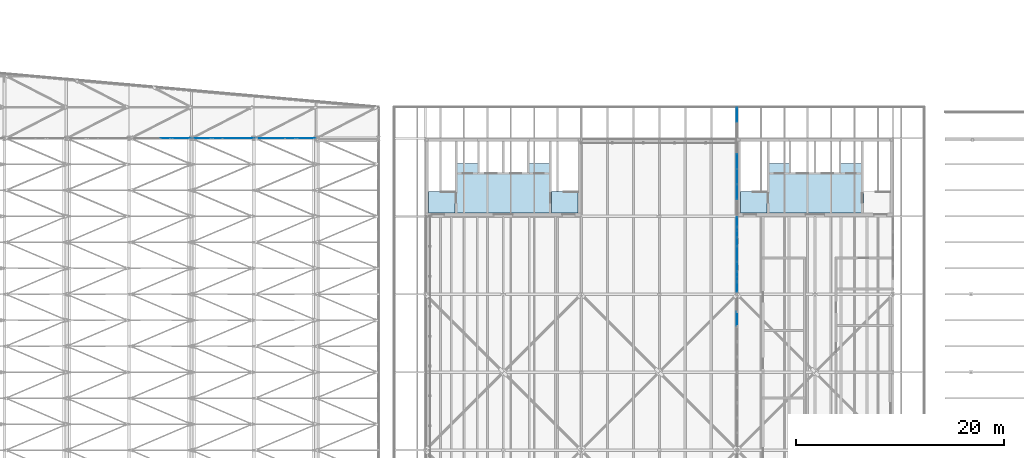
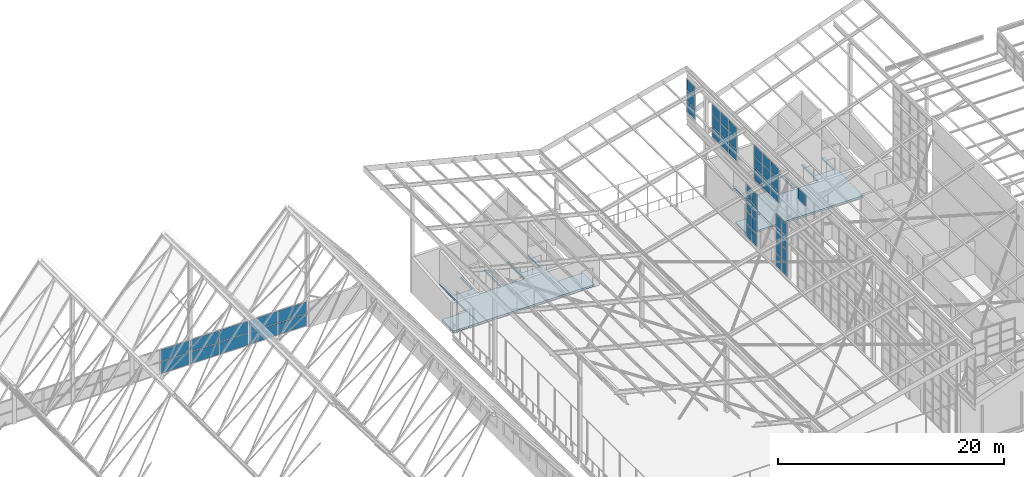
# One storey, part 109 of 483: 48 plates, 5 slabs, 15 elements without a shape of their own.
"""IFC4 building model written with IfcOpenShell, lengths in metres."""

from ifc_helpers import new_model, si_unit, direction, frame, origin, origin_2d, place, context, subcontext, project, spatial, polyline, rectangle, outline, extrude, material, layer, layer_set, type_object, element, aggregate, save


model = new_model("IFC4")

# Units and contexts
model_context = context("Model", 3, precision=1e-05, world=origin(), true_north=direction((0.0, 1.0)))
body_context = subcontext(model_context, "Body", "Model", "MODEL_VIEW")
ifc_project = project(units=[si_unit("LENGTHUNIT", "METRE"), si_unit("AREAUNIT", "SQUARE_METRE"), si_unit("VOLUMEUNIT", "CUBIC_METRE"), si_unit("PLANEANGLEUNIT", "RADIAN"), si_unit("MASSUNIT", "GRAM", prefix="KILO")], contexts=[model_context])

# Site, building, storey
site_placement = place(None, origin())
site = spatial("IfcSite", under=ifc_project, at=site_placement, CompositionType="ELEMENT")
building_placement = place(site_placement, origin())
building = spatial("IfcBuilding", under=site, at=building_placement, Name="Parallax Yard Mobility Hub", CompositionType="ELEMENT")
storey_placement = place(building_placement, frame((0.0, 0.0, 13.199951171875)))
storey = spatial("IfcBuildingStorey", under=building, at=storey_placement, Name="L04", CompositionType="ELEMENT", Elevation=13.199951171875)

# Slabs
ifc_material_1 = material(Name="Concrete fc' 35 MPa", Category="concrete")
ifc_layer_1 = layer(ifc_material_1, 0.199951171875)
ifc_layer_set_1 = layer_set([ifc_layer_1], Name="Core floor slab 200")
slab_type_1 = type_object("IfcSlabType", Name="Core floor slab 200", PredefinedType="FLOOR", material=ifc_layer_set_1)
slab_1_placement = place(storey_placement, frame((0.0, 0.0, -0.199951171875)))
element("IfcSlab", 1, at=slab_1_placement, inside=storey, type_object=slab_type_1, Name="Core C6-W floor slab level L04", PredefinedType="FLOOR", context=body_context, shape_type="SweptSolid", body=[
    extrude(outline(polyline([(104.89990234375, 49.199951171875), (104.89990234375, 52.199951171875), (105.10009765625, 52.199951171875), (105.10009765625, 49.199951171875), (107.300048828125, 49.199951171875), (107.300048828125, 52.199951171875), (107.5, 52.199951171875), (107.5, 50.10009765625), (109.39990234375, 50.10009765625), (109.39990234375, 52.199951171875), (109.64990234375, 52.199951171875), (109.64990234375, 45.300048828125), (100.35009765625, 45.300048828125), (100.35009765625, 52.199951171875), (100.60009765625, 52.199951171875), (100.60009765625, 50.10009765625), (102.5, 50.10009765625), (102.5, 52.199951171875), (102.699951171875, 52.199951171875), (102.699951171875, 49.199951171875), (104.89990234375, 49.199951171875)])), origin(), (0.0, 0.0, 1.0), 0.199951171875),
])
slab_2_placement = place(storey_placement, frame((0.0, 0.0, -0.199951171875)))
element("IfcSlab", 2, at=slab_2_placement, inside=storey, type_object=slab_type_1, Name="Core C6-E floor slab level L04", PredefinedType="FLOOR", context=body_context, shape_type="SweptSolid", body=[
    extrude(outline(polyline([(134.89990234375, 49.199951171875), (134.89990234375, 52.199951171875), (135.10009765625, 52.199951171875), (135.10009765625, 49.199951171875), (137.300048828125, 49.199951171875), (137.300048828125, 52.199951171875), (137.5, 52.199951171875), (137.5, 50.10009765625), (139.39990234375, 50.10009765625), (139.39990234375, 52.199951171875), (139.64990234375, 52.199951171875), (139.64990234375, 45.300048828125), (130.35009765625, 45.300048828125), (130.35009765625, 52.199951171875), (130.60009765625, 52.199951171875), (130.60009765625, 50.10009765625), (132.5, 50.10009765625), (132.5, 52.199951171875), (132.699951171875, 52.199951171875), (132.699951171875, 49.199951171875), (134.89990234375, 49.199951171875)])), origin(), (0.0, 0.0, 1.0), 0.199951171875),
])

# Curtain wall, plates
ifc_material_2 = material(Name="Thermally broken aluminium curtain wall system", Category="aluminium")
curtain_wall_type_1 = type_object("IfcCurtainWallType", Name="Curtain wall run 60 x 160 frame", PredefinedType="NOTDEFINED", material=ifc_material_2)
curtain_wall_1_placement = place(storey_placement, origin())
curtain_wall_1 = element("IfcCurtainWall", 3, at=curtain_wall_1_placement, inside=storey, type_object=curtain_wall_type_1, Name="Glazed gable end Bus and taxi deck north gable bay 11 level L04", PredefinedType="NOTDEFINED")
ifc_material_3 = material(Name="Laminated low-E double glazing", Category="glass")
ifc_layer_2 = layer(ifc_material_3, 0.028076171875)
ifc_layer_set_2 = layer_set([ifc_layer_2], Name="Glazing panel 28")
plate_type_1 = type_object("IfcPlateType", Name="Glazing panel 28", PredefinedType="CURTAIN_PANEL", material=ifc_layer_set_2)
plate_1_placement = place(storey_placement, frame((73.485107421875, 52.5, 0.06005859375), z_axis=(0.0, 0.0, 1.0), x_axis=(1.0, 0.0, 0.0)))
plate_1 = element("IfcPlate", 4, at=plate_1_placement, type_object=plate_type_1, Name="CW1 panel 2.1", PredefinedType="CURTAIN_PANEL", context=body_context, shape_type="SweptSolid", body=[
    extrude(rectangle(XDim=2.909912109375, YDim=0.028076171875, at=origin_2d()), origin(), (0.0, 0.0, 1.0), 1.2548828125),
])
plate_2_placement = place(storey_placement, frame((73.485107421875, 52.5, 1.375), z_axis=(0.0, 0.0, 1.0), x_axis=(1.0, 0.0, 0.0)))
plate_2 = element("IfcPlate", 5, at=plate_2_placement, type_object=plate_type_1, Name="CW1 panel 2.2", PredefinedType="CURTAIN_PANEL", context=body_context, shape_type="SweptSolid", body=[
    extrude(rectangle(XDim=2.909912109375, YDim=0.028076171875, at=origin_2d()), origin(), (0.0, 0.0, 1.0), 1.2548828125),
])
aggregate(curtain_wall_1, [plate_1, plate_2])

curtain_wall_2_placement = place(storey_placement, origin())
curtain_wall_2 = element("IfcCurtainWall", 6, at=curtain_wall_2_placement, inside=storey, type_object=curtain_wall_type_1, Name="Glazed gable end Bus and taxi deck north gable bay 12 level L04", PredefinedType="NOTDEFINED")
plate_3_placement = place(storey_placement, frame((76.514892578125, 52.5, 0.06005859375), z_axis=(0.0, 0.0, 1.0), x_axis=(1.0, 0.0, 0.0)))
plate_3 = element("IfcPlate", 7, at=plate_3_placement, type_object=plate_type_1, Name="CW1 panel 1.1", PredefinedType="CURTAIN_PANEL", context=body_context, shape_type="SweptSolid", body=[
    extrude(rectangle(XDim=2.909912109375, YDim=0.028076171875, at=origin_2d()), origin(), (0.0, 0.0, 1.0), 1.2548828125),
])
plate_4_placement = place(storey_placement, frame((76.514892578125, 52.5, 1.375), z_axis=(0.0, 0.0, 1.0), x_axis=(1.0, 0.0, 0.0)))
plate_4 = element("IfcPlate", 8, at=plate_4_placement, type_object=plate_type_1, Name="CW1 panel 1.2", PredefinedType="CURTAIN_PANEL", context=body_context, shape_type="SweptSolid", body=[
    extrude(rectangle(XDim=2.909912109375, YDim=0.028076171875, at=origin_2d()), origin(), (0.0, 0.0, 1.0), 1.2548828125),
])
plate_5_placement = place(storey_placement, frame((79.485107421875, 52.5, 0.06005859375), z_axis=(0.0, 0.0, 1.0), x_axis=(1.0, 0.0, 0.0)))
plate_5 = element("IfcPlate", 9, at=plate_5_placement, type_object=plate_type_1, Name="CW1 panel 2.1", PredefinedType="CURTAIN_PANEL", context=body_context, shape_type="SweptSolid", body=[
    extrude(rectangle(XDim=2.909912109375, YDim=0.028076171875, at=origin_2d()), origin(), (0.0, 0.0, 1.0), 1.2548828125),
])
plate_6_placement = place(storey_placement, frame((79.485107421875, 52.5, 1.375), z_axis=(0.0, 0.0, 1.0), x_axis=(1.0, 0.0, 0.0)))
plate_6 = element("IfcPlate", 10, at=plate_6_placement, type_object=plate_type_1, Name="CW1 panel 2.2", PredefinedType="CURTAIN_PANEL", context=body_context, shape_type="SweptSolid", body=[
    extrude(rectangle(XDim=2.909912109375, YDim=0.028076171875, at=origin_2d()), origin(), (0.0, 0.0, 1.0), 1.2548828125),
])
aggregate(curtain_wall_2, [plate_3, plate_4, plate_5, plate_6])

curtain_wall_3_placement = place(storey_placement, origin())
curtain_wall_3 = element("IfcCurtainWall", 11, at=curtain_wall_3_placement, inside=storey, type_object=curtain_wall_type_1, Name="Glazed gable end Bus and taxi deck north gable bay 13 level L04", PredefinedType="NOTDEFINED")
plate_7_placement = place(storey_placement, frame((82.514892578125, 52.5, 0.06005859375), z_axis=(0.0, 0.0, 1.0), x_axis=(1.0, 0.0, 0.0)))
plate_7 = element("IfcPlate", 12, at=plate_7_placement, type_object=plate_type_1, Name="CW1 panel 1.1", PredefinedType="CURTAIN_PANEL", context=body_context, shape_type="SweptSolid", body=[
    extrude(rectangle(XDim=2.909912109375, YDim=0.028076171875, at=origin_2d()), origin(), (0.0, 0.0, 1.0), 1.2548828125),
])
plate_8_placement = place(storey_placement, frame((82.514892578125, 52.5, 1.375), z_axis=(0.0, 0.0, 1.0), x_axis=(1.0, 0.0, 0.0)))
plate_8 = element("IfcPlate", 13, at=plate_8_placement, type_object=plate_type_1, Name="CW1 panel 1.2", PredefinedType="CURTAIN_PANEL", context=body_context, shape_type="SweptSolid", body=[
    extrude(rectangle(XDim=2.909912109375, YDim=0.028076171875, at=origin_2d()), origin(), (0.0, 0.0, 1.0), 1.2548828125),
])
plate_9_placement = place(storey_placement, frame((85.485107421875, 52.5, 0.06005859375), z_axis=(0.0, 0.0, 1.0), x_axis=(1.0, 0.0, 0.0)))
plate_9 = element("IfcPlate", 14, at=plate_9_placement, type_object=plate_type_1, Name="CW1 panel 2.1", PredefinedType="CURTAIN_PANEL", context=body_context, shape_type="SweptSolid", body=[
    extrude(rectangle(XDim=2.909912109375, YDim=0.028076171875, at=origin_2d()), origin(), (0.0, 0.0, 1.0), 1.2548828125),
])
plate_10_placement = place(storey_placement, frame((85.485107421875, 52.5, 1.375), z_axis=(0.0, 0.0, 1.0), x_axis=(1.0, 0.0, 0.0)))
plate_10 = element("IfcPlate", 15, at=plate_10_placement, type_object=plate_type_1, Name="CW1 panel 2.2", PredefinedType="CURTAIN_PANEL", context=body_context, shape_type="SweptSolid", body=[
    extrude(rectangle(XDim=2.909912109375, YDim=0.028076171875, at=origin_2d()), origin(), (0.0, 0.0, 1.0), 1.2548828125),
])
aggregate(curtain_wall_3, [plate_7, plate_8, plate_9, plate_10])

# Curtain wall, plate
curtain_wall_type_2 = type_object("IfcCurtainWallType", Name="Clerestory glazing run 60 x 120 frame", PredefinedType="NOTDEFINED", material=ifc_material_2)
curtain_wall_4_placement = place(storey_placement, origin())
curtain_wall_4 = element("IfcCurtainWall", 16, at=curtain_wall_4_placement, inside=storey, type_object=curtain_wall_type_2, Name="Clerestory glazing run Rooftop sports deck roof step 1 bay 3 level L04", PredefinedType="NOTDEFINED")
plate_11_placement = place(storey_placement, frame((127.5, 35.137939453125, 9.68359375), z_axis=(0.0, 0.0, 1.0), x_axis=(0.0, 1.0, 0.0)))
plate_11 = element("IfcPlate", 17, at=plate_11_placement, type_object=plate_type_1, Name="CW4 panel 1.3", PredefinedType="CURTAIN_PANEL", context=body_context, shape_type="SweptSolid", body=[
    extrude(rectangle(XDim=1.348876953125, YDim=0.028076171875, at=origin_2d()), origin(), (0.0, 0.0, 1.0), 1.192626953125),
])
aggregate(curtain_wall_4, [plate_11])

# Curtain wall, plates
curtain_wall_5_placement = place(storey_placement, origin())
curtain_wall_5 = element("IfcCurtainWall", 18, at=curtain_wall_5_placement, inside=storey, type_object=curtain_wall_type_2, Name="Clerestory glazing run Rooftop sports deck roof step 1 bay 4 level L04", PredefinedType="NOTDEFINED")
plate_12_placement = place(storey_placement, frame((127.5, 39.88916015625, 7.147705078125), z_axis=(0.0, 0.0, 1.0), x_axis=(0.0, 1.0, 0.0)))
plate_12 = element("IfcPlate", 19, at=plate_12_placement, type_object=plate_type_1, Name="CW4 panel 1.1", PredefinedType="CURTAIN_PANEL", context=body_context, shape_type="SweptSolid", body=[
    extrude(rectangle(XDim=1.36669921875, YDim=0.028076171875, at=origin_2d()), origin(), (0.0, 0.0, 1.0), 1.1767578125),
])
plate_13_placement = place(storey_placement, frame((127.5, 39.88916015625, 8.384765625), z_axis=(0.0, 0.0, 1.0), x_axis=(0.0, 1.0, 0.0)))
plate_13 = element("IfcPlate", 20, at=plate_13_placement, type_object=plate_type_1, Name="CW4 panel 1.2", PredefinedType="CURTAIN_PANEL", context=body_context, shape_type="SweptSolid", body=[
    extrude(rectangle(XDim=1.36669921875, YDim=0.028076171875, at=origin_2d()), origin(), (0.0, 0.0, 1.0), 1.206787109375),
])
plate_14_placement = place(storey_placement, frame((127.5, 39.88916015625, 9.6513671875), z_axis=(0.0, 0.0, 1.0), x_axis=(0.0, 1.0, 0.0)))
plate_14 = element("IfcPlate", 21, at=plate_14_placement, type_object=plate_type_1, Name="CW4 panel 1.3", PredefinedType="CURTAIN_PANEL", context=body_context, shape_type="SweptSolid", body=[
    extrude(rectangle(XDim=1.36669921875, YDim=0.028076171875, at=origin_2d()), origin(), (0.0, 0.0, 1.0), 1.1767578125),
])
aggregate(curtain_wall_5, [plate_12, plate_13, plate_14])

curtain_wall_6_placement = place(storey_placement, origin())
curtain_wall_6 = element("IfcCurtainWall", 22, at=curtain_wall_6_placement, inside=storey, type_object=curtain_wall_type_2, Name="Clerestory glazing run Rooftop sports deck roof step 1 bay 4 level L04", PredefinedType="NOTDEFINED")
plate_15_placement = place(storey_placement, frame((127.5, 41.3759765625, 7.14794921875), z_axis=(0.0, 0.0, 1.0), x_axis=(0.0, 1.0, 0.0)))
plate_15 = element("IfcPlate", 23, at=plate_15_placement, type_object=plate_type_1, Name="CW4 panel 1.1", PredefinedType="CURTAIN_PANEL", context=body_context, shape_type="SweptSolid", body=[
    extrude(rectangle(XDim=1.36669921875, YDim=0.028076171875, at=origin_2d()), origin(), (0.0, 0.0, 1.0), 1.171630859375),
])
plate_16_placement = place(storey_placement, frame((127.5, 41.3759765625, 8.37939453125), z_axis=(0.0, 0.0, 1.0), x_axis=(0.0, 1.0, 0.0)))
plate_16 = element("IfcPlate", 24, at=plate_16_placement, type_object=plate_type_1, Name="CW4 panel 1.2", PredefinedType="CURTAIN_PANEL", context=body_context, shape_type="SweptSolid", body=[
    extrude(rectangle(XDim=1.36669921875, YDim=0.028076171875, at=origin_2d()), origin(), (0.0, 0.0, 1.0), 1.201904296875),
])
plate_17_placement = place(storey_placement, frame((127.5, 41.3759765625, 9.6416015625), z_axis=(0.0, 0.0, 1.0), x_axis=(0.0, 1.0, 0.0)))
plate_17 = element("IfcPlate", 25, at=plate_17_placement, type_object=plate_type_1, Name="CW4 panel 1.3", PredefinedType="CURTAIN_PANEL", context=body_context, shape_type="SweptSolid", body=[
    extrude(rectangle(XDim=1.36669921875, YDim=0.028076171875, at=origin_2d()), origin(), (0.0, 0.0, 1.0), 1.171630859375),
])
aggregate(curtain_wall_6, [plate_15, plate_16, plate_17])

curtain_wall_7_placement = place(storey_placement, origin())
curtain_wall_7 = element("IfcCurtainWall", 26, at=curtain_wall_7_placement, inside=storey, type_object=curtain_wall_type_2, Name="Clerestory glazing run Rooftop sports deck roof step 1 bay 4 level L04", PredefinedType="NOTDEFINED")
plate_18_placement = place(storey_placement, frame((127.5, 42.862548828125, 7.14794921875), z_axis=(0.0, 0.0, 1.0), x_axis=(0.0, 1.0, 0.0)))
plate_18 = element("IfcPlate", 27, at=plate_18_placement, type_object=plate_type_1, Name="CW4 panel 1.1", PredefinedType="CURTAIN_PANEL", context=body_context, shape_type="SweptSolid", body=[
    extrude(rectangle(XDim=1.36669921875, YDim=0.028076171875, at=origin_2d()), origin(), (0.0, 0.0, 1.0), 1.166748046875),
])
plate_19_placement = place(storey_placement, frame((127.5, 42.862548828125, 8.37451171875), z_axis=(0.0, 0.0, 1.0), x_axis=(0.0, 1.0, 0.0)))
plate_19 = element("IfcPlate", 28, at=plate_19_placement, type_object=plate_type_1, Name="CW4 panel 1.2", PredefinedType="CURTAIN_PANEL", context=body_context, shape_type="SweptSolid", body=[
    extrude(rectangle(XDim=1.36669921875, YDim=0.028076171875, at=origin_2d()), origin(), (0.0, 0.0, 1.0), 1.19677734375),
])
plate_20_placement = place(storey_placement, frame((127.5, 42.862548828125, 9.63134765625), z_axis=(0.0, 0.0, 1.0), x_axis=(0.0, 1.0, 0.0)))
plate_20 = element("IfcPlate", 29, at=plate_20_placement, type_object=plate_type_1, Name="CW4 panel 1.3", PredefinedType="CURTAIN_PANEL", context=body_context, shape_type="SweptSolid", body=[
    extrude(rectangle(XDim=1.36669921875, YDim=0.028076171875, at=origin_2d()), origin(), (0.0, 0.0, 1.0), 1.166748046875),
])
aggregate(curtain_wall_7, [plate_18, plate_19, plate_20])

curtain_wall_8_placement = place(storey_placement, origin())
curtain_wall_8 = element("IfcCurtainWall", 30, at=curtain_wall_8_placement, inside=storey, type_object=curtain_wall_type_2, Name="Clerestory glazing run Rooftop sports deck roof step 1 bay 4 level L04", PredefinedType="NOTDEFINED")
plate_21_placement = place(storey_placement, frame((127.5, 47.32275390625, 7.14794921875), z_axis=(0.0, 0.0, 1.0), x_axis=(0.0, 1.0, 0.0)))
plate_21 = element("IfcPlate", 31, at=plate_21_placement, type_object=plate_type_1, Name="CW4 panel 1.1", PredefinedType="CURTAIN_PANEL", context=body_context, shape_type="SweptSolid", body=[
    extrude(rectangle(XDim=1.36669921875, YDim=0.028076171875, at=origin_2d()), origin(), (0.0, 0.0, 1.0), 1.152099609375),
])
plate_22_placement = place(storey_placement, frame((127.5, 47.32275390625, 8.35986328125), z_axis=(0.0, 0.0, 1.0), x_axis=(0.0, 1.0, 0.0)))
plate_22 = element("IfcPlate", 32, at=plate_22_placement, type_object=plate_type_1, Name="CW4 panel 1.2", PredefinedType="CURTAIN_PANEL", context=body_context, shape_type="SweptSolid", body=[
    extrude(rectangle(XDim=1.36669921875, YDim=0.028076171875, at=origin_2d()), origin(), (0.0, 0.0, 1.0), 1.181884765625),
])
plate_23_placement = place(storey_placement, frame((127.5, 47.32275390625, 9.60205078125), z_axis=(0.0, 0.0, 1.0), x_axis=(0.0, 1.0, 0.0)))
plate_23 = element("IfcPlate", 33, at=plate_23_placement, type_object=plate_type_1, Name="CW4 panel 1.3", PredefinedType="CURTAIN_PANEL", context=body_context, shape_type="SweptSolid", body=[
    extrude(rectangle(XDim=1.36669921875, YDim=0.028076171875, at=origin_2d()), origin(), (0.0, 0.0, 1.0), 1.152099609375),
])
aggregate(curtain_wall_8, [plate_21, plate_22, plate_23])

curtain_wall_9_placement = place(storey_placement, origin())
curtain_wall_9 = element("IfcCurtainWall", 34, at=curtain_wall_9_placement, inside=storey, type_object=curtain_wall_type_2, Name="Clerestory glazing run Rooftop sports deck roof step 1 bay 4 level L04", PredefinedType="NOTDEFINED")
plate_24_placement = place(storey_placement, frame((127.5, 48.8095703125, 7.14794921875), z_axis=(0.0, 0.0, 1.0), x_axis=(0.0, 1.0, 0.0)))
plate_24 = element("IfcPlate", 35, at=plate_24_placement, type_object=plate_type_1, Name="CW4 panel 1.1", PredefinedType="CURTAIN_PANEL", context=body_context, shape_type="SweptSolid", body=[
    extrude(rectangle(XDim=1.36669921875, YDim=0.028076171875, at=origin_2d()), origin(), (0.0, 0.0, 1.0), 1.147216796875),
])
plate_25_placement = place(storey_placement, frame((127.5, 48.8095703125, 8.35498046875), z_axis=(0.0, 0.0, 1.0), x_axis=(0.0, 1.0, 0.0)))
plate_25 = element("IfcPlate", 36, at=plate_25_placement, type_object=plate_type_1, Name="CW4 panel 1.2", PredefinedType="CURTAIN_PANEL", context=body_context, shape_type="SweptSolid", body=[
    extrude(rectangle(XDim=1.36669921875, YDim=0.028076171875, at=origin_2d()), origin(), (0.0, 0.0, 1.0), 1.177001953125),
])
plate_26_placement = place(storey_placement, frame((127.5, 48.8095703125, 9.591796875), z_axis=(0.0, 0.0, 1.0), x_axis=(0.0, 1.0, 0.0)))
plate_26 = element("IfcPlate", 37, at=plate_26_placement, type_object=plate_type_1, Name="CW4 panel 1.3", PredefinedType="CURTAIN_PANEL", context=body_context, shape_type="SweptSolid", body=[
    extrude(rectangle(XDim=1.36669921875, YDim=0.028076171875, at=origin_2d()), origin(), (0.0, 0.0, 1.0), 1.147216796875),
])
aggregate(curtain_wall_9, [plate_24, plate_25, plate_26])

curtain_wall_10_placement = place(storey_placement, origin())
curtain_wall_10 = element("IfcCurtainWall", 38, at=curtain_wall_10_placement, inside=storey, type_object=curtain_wall_type_2, Name="Clerestory glazing run Rooftop sports deck roof step 1 bay 4 level L04", PredefinedType="NOTDEFINED")
plate_27_placement = place(storey_placement, frame((127.5, 50.29638671875, 7.14794921875), z_axis=(0.0, 0.0, 1.0), x_axis=(0.0, 1.0, 0.0)))
plate_27 = element("IfcPlate", 39, at=plate_27_placement, type_object=plate_type_1, Name="CW4 panel 1.1", PredefinedType="CURTAIN_PANEL", context=body_context, shape_type="SweptSolid", body=[
    extrude(rectangle(XDim=1.36669921875, YDim=0.028076171875, at=origin_2d()), origin(), (0.0, 0.0, 1.0), 1.14208984375),
])
plate_28_placement = place(storey_placement, frame((127.5, 50.29638671875, 8.35009765625), z_axis=(0.0, 0.0, 1.0), x_axis=(0.0, 1.0, 0.0)))
plate_28 = element("IfcPlate", 40, at=plate_28_placement, type_object=plate_type_1, Name="CW4 panel 1.2", PredefinedType="CURTAIN_PANEL", context=body_context, shape_type="SweptSolid", body=[
    extrude(rectangle(XDim=1.36669921875, YDim=0.028076171875, at=origin_2d()), origin(), (0.0, 0.0, 1.0), 1.172119140625),
])
plate_29_placement = place(storey_placement, frame((127.5, 50.29638671875, 9.58203125), z_axis=(0.0, 0.0, 1.0), x_axis=(0.0, 1.0, 0.0)))
plate_29 = element("IfcPlate", 41, at=plate_29_placement, type_object=plate_type_1, Name="CW4 panel 1.3", PredefinedType="CURTAIN_PANEL", context=body_context, shape_type="SweptSolid", body=[
    extrude(rectangle(XDim=1.36669921875, YDim=0.028076171875, at=origin_2d()), origin(), (0.0, 0.0, 1.0), 1.14208984375),
])
aggregate(curtain_wall_10, [plate_27, plate_28, plate_29])

curtain_wall_11_placement = place(storey_placement, origin())
curtain_wall_11 = element("IfcCurtainWall", 42, at=curtain_wall_11_placement, inside=storey, type_object=curtain_wall_type_2, Name="Clerestory glazing run Rooftop sports deck roof step 1 bay 4 level L04", PredefinedType="NOTDEFINED")
plate_30_placement = place(storey_placement, frame((127.5, 54.756591796875, 7.14794921875), z_axis=(0.0, 0.0, 1.0), x_axis=(0.0, 1.0, 0.0)))
plate_30 = element("IfcPlate", 43, at=plate_30_placement, type_object=plate_type_1, Name="CW4 panel 1.1", PredefinedType="CURTAIN_PANEL", context=body_context, shape_type="SweptSolid", body=[
    extrude(rectangle(XDim=1.36669921875, YDim=0.028076171875, at=origin_2d()), origin(), (0.0, 0.0, 1.0), 1.12744140625),
])
plate_31_placement = place(storey_placement, frame((127.5, 54.756591796875, 8.33544921875), z_axis=(0.0, 0.0, 1.0), x_axis=(0.0, 1.0, 0.0)))
plate_31 = element("IfcPlate", 44, at=plate_31_placement, type_object=plate_type_1, Name="CW4 panel 1.2", PredefinedType="CURTAIN_PANEL", context=body_context, shape_type="SweptSolid", body=[
    extrude(rectangle(XDim=1.36669921875, YDim=0.028076171875, at=origin_2d()), origin(), (0.0, 0.0, 1.0), 1.157470703125),
])
plate_32_placement = place(storey_placement, frame((127.5, 54.756591796875, 9.552734375), z_axis=(0.0, 0.0, 1.0), x_axis=(0.0, 1.0, 0.0)))
plate_32 = element("IfcPlate", 45, at=plate_32_placement, type_object=plate_type_1, Name="CW4 panel 1.3", PredefinedType="CURTAIN_PANEL", context=body_context, shape_type="SweptSolid", body=[
    extrude(rectangle(XDim=1.36669921875, YDim=0.028076171875, at=origin_2d()), origin(), (0.0, 0.0, 1.0), 1.12744140625),
])
aggregate(curtain_wall_11, [plate_30, plate_31, plate_32])

curtain_wall_type_3 = type_object("IfcCurtainWallType", Name="Tall curtain wall run 75 x 200 frame", PredefinedType="NOTDEFINED", material=ifc_material_2)
curtain_wall_12_placement = place(storey_placement, origin())
curtain_wall_12 = element("IfcCurtainWall", 46, at=curtain_wall_12_placement, inside=storey, type_object=curtain_wall_type_3, Name="Curtain wall run Rooftop sports deck west bay 3 level L04", PredefinedType="NOTDEFINED")
ifc_layer_3 = layer(ifc_material_3, 0.031982421875)
ifc_layer_set_3 = layer_set([ifc_layer_3], Name="Glazing panel 32")
plate_type_2 = type_object("IfcPlateType", Name="Glazing panel 32", PredefinedType="CURTAIN_PANEL", material=ifc_layer_set_3)
plate_33_placement = place(storey_placement, frame((127.5, 38.176513671875, 0.0751953125), z_axis=(0.0, 0.0, 1.0), x_axis=(0.0, 1.0, 0.0)))
plate_33 = element("IfcPlate", 47, at=plate_33_placement, type_object=plate_type_2, Name="CW3 panel 1.1", PredefinedType="CURTAIN_PANEL", context=body_context, shape_type="SweptSolid", body=[
    extrude(rectangle(XDim=0.88525390625, YDim=0.031982421875, at=origin_2d()), origin(), (0.0, 0.0, 1.0), 1.33740234375),
])
plate_34_placement = place(storey_placement, frame((127.5, 38.176513671875, 1.487548828125), z_axis=(0.0, 0.0, 1.0), x_axis=(0.0, 1.0, 0.0)))
plate_34 = element("IfcPlate", 48, at=plate_34_placement, type_object=plate_type_2, Name="CW3 panel 1.2", PredefinedType="CURTAIN_PANEL", context=body_context, shape_type="SweptSolid", body=[
    extrude(rectangle(XDim=0.88525390625, YDim=0.031982421875, at=origin_2d()), origin(), (0.0, 0.0, 1.0), 1.375),
])
plate_35_placement = place(storey_placement, frame((127.5, 38.176513671875, 2.9375), z_axis=(0.0, 0.0, 1.0), x_axis=(0.0, 1.0, 0.0)))
plate_35 = element("IfcPlate", 49, at=plate_35_placement, type_object=plate_type_2, Name="CW3 panel 1.3", PredefinedType="CURTAIN_PANEL", context=body_context, shape_type="SweptSolid", body=[
    extrude(rectangle(XDim=0.88525390625, YDim=0.031982421875, at=origin_2d()), origin(), (0.0, 0.0, 1.0), 1.375),
])
plate_36_placement = place(storey_placement, frame((127.5, 38.176513671875, 4.3876953125), z_axis=(0.0, 0.0, 1.0), x_axis=(0.0, 1.0, 0.0)))
plate_36 = element("IfcPlate", 50, at=plate_36_placement, type_object=plate_type_2, Name="CW3 panel 1.4", PredefinedType="CURTAIN_PANEL", context=body_context, shape_type="SweptSolid", body=[
    extrude(rectangle(XDim=0.88525390625, YDim=0.031982421875, at=origin_2d()), origin(), (0.0, 0.0, 1.0), 1.33740234375),
])
aggregate(curtain_wall_12, [plate_33, plate_34, plate_35, plate_36])

curtain_wall_13_placement = place(storey_placement, origin())
curtain_wall_13 = element("IfcCurtainWall", 51, at=curtain_wall_13_placement, inside=storey, type_object=curtain_wall_type_3, Name="Curtain wall run Rooftop sports deck west bay 3 level L04", PredefinedType="NOTDEFINED")
plate_37_placement = place(storey_placement, frame((127.5, 39.2119140625, 0.0751953125), z_axis=(0.0, 0.0, 1.0), x_axis=(0.0, 1.0, 0.0)))
plate_37 = element("IfcPlate", 52, at=plate_37_placement, type_object=plate_type_2, Name="CW3 panel 1.1", PredefinedType="CURTAIN_PANEL", context=body_context, shape_type="SweptSolid", body=[
    extrude(rectangle(XDim=0.88525390625, YDim=0.031982421875, at=origin_2d()), origin(), (0.0, 0.0, 1.0), 1.33740234375),
])
plate_38_placement = place(storey_placement, frame((127.5, 39.2119140625, 1.487548828125), z_axis=(0.0, 0.0, 1.0), x_axis=(0.0, 1.0, 0.0)))
plate_38 = element("IfcPlate", 53, at=plate_38_placement, type_object=plate_type_2, Name="CW3 panel 1.2", PredefinedType="CURTAIN_PANEL", context=body_context, shape_type="SweptSolid", body=[
    extrude(rectangle(XDim=0.88525390625, YDim=0.031982421875, at=origin_2d()), origin(), (0.0, 0.0, 1.0), 1.375),
])
plate_39_placement = place(storey_placement, frame((127.5, 39.2119140625, 2.9375), z_axis=(0.0, 0.0, 1.0), x_axis=(0.0, 1.0, 0.0)))
plate_39 = element("IfcPlate", 54, at=plate_39_placement, type_object=plate_type_2, Name="CW3 panel 1.3", PredefinedType="CURTAIN_PANEL", context=body_context, shape_type="SweptSolid", body=[
    extrude(rectangle(XDim=0.88525390625, YDim=0.031982421875, at=origin_2d()), origin(), (0.0, 0.0, 1.0), 1.375),
])
plate_40_placement = place(storey_placement, frame((127.5, 39.2119140625, 4.3876953125), z_axis=(0.0, 0.0, 1.0), x_axis=(0.0, 1.0, 0.0)))
plate_40 = element("IfcPlate", 55, at=plate_40_placement, type_object=plate_type_2, Name="CW3 panel 1.4", PredefinedType="CURTAIN_PANEL", context=body_context, shape_type="SweptSolid", body=[
    extrude(rectangle(XDim=0.88525390625, YDim=0.031982421875, at=origin_2d()), origin(), (0.0, 0.0, 1.0), 1.33740234375),
])
aggregate(curtain_wall_13, [plate_37, plate_38, plate_39, plate_40])

curtain_wall_14_placement = place(storey_placement, origin())
curtain_wall_14 = element("IfcCurtainWall", 56, at=curtain_wall_14_placement, inside=storey, type_object=curtain_wall_type_3, Name="Curtain wall run Rooftop sports deck west bay 3 level L04", PredefinedType="NOTDEFINED")
plate_41_placement = place(storey_placement, frame((127.5, 43.447021484375, 0.0751953125), z_axis=(0.0, 0.0, 1.0), x_axis=(0.0, 1.0, 0.0)))
plate_41 = element("IfcPlate", 57, at=plate_41_placement, type_object=plate_type_2, Name="CW3 panel 1.1", PredefinedType="CURTAIN_PANEL", context=body_context, shape_type="SweptSolid", body=[
    extrude(rectangle(XDim=0.88525390625, YDim=0.031982421875, at=origin_2d()), origin(), (0.0, 0.0, 1.0), 1.33740234375),
])
plate_42_placement = place(storey_placement, frame((127.5, 43.447021484375, 1.487548828125), z_axis=(0.0, 0.0, 1.0), x_axis=(0.0, 1.0, 0.0)))
plate_42 = element("IfcPlate", 58, at=plate_42_placement, type_object=plate_type_2, Name="CW3 panel 1.2", PredefinedType="CURTAIN_PANEL", context=body_context, shape_type="SweptSolid", body=[
    extrude(rectangle(XDim=0.88525390625, YDim=0.031982421875, at=origin_2d()), origin(), (0.0, 0.0, 1.0), 1.375),
])
plate_43_placement = place(storey_placement, frame((127.5, 43.447021484375, 2.9375), z_axis=(0.0, 0.0, 1.0), x_axis=(0.0, 1.0, 0.0)))
plate_43 = element("IfcPlate", 59, at=plate_43_placement, type_object=plate_type_2, Name="CW3 panel 1.3", PredefinedType="CURTAIN_PANEL", context=body_context, shape_type="SweptSolid", body=[
    extrude(rectangle(XDim=0.88525390625, YDim=0.031982421875, at=origin_2d()), origin(), (0.0, 0.0, 1.0), 1.375),
])
plate_44_placement = place(storey_placement, frame((127.5, 43.447021484375, 4.3876953125), z_axis=(0.0, 0.0, 1.0), x_axis=(0.0, 1.0, 0.0)))
plate_44 = element("IfcPlate", 60, at=plate_44_placement, type_object=plate_type_2, Name="CW3 panel 1.4", PredefinedType="CURTAIN_PANEL", context=body_context, shape_type="SweptSolid", body=[
    extrude(rectangle(XDim=0.88525390625, YDim=0.031982421875, at=origin_2d()), origin(), (0.0, 0.0, 1.0), 1.33740234375),
])
aggregate(curtain_wall_14, [plate_41, plate_42, plate_43, plate_44])

curtain_wall_15_placement = place(storey_placement, origin())
curtain_wall_15 = element("IfcCurtainWall", 61, at=curtain_wall_15_placement, inside=storey, type_object=curtain_wall_type_3, Name="Curtain wall run Rooftop sports deck west bay 3 level L04", PredefinedType="NOTDEFINED")
plate_45_placement = place(storey_placement, frame((127.5, 44.482421875, 0.0751953125), z_axis=(0.0, 0.0, 1.0), x_axis=(0.0, 1.0, 0.0)))
plate_45 = element("IfcPlate", 62, at=plate_45_placement, type_object=plate_type_2, Name="CW3 panel 1.1", PredefinedType="CURTAIN_PANEL", context=body_context, shape_type="SweptSolid", body=[
    extrude(rectangle(XDim=0.88525390625, YDim=0.031982421875, at=origin_2d()), origin(), (0.0, 0.0, 1.0), 1.33740234375),
])
plate_46_placement = place(storey_placement, frame((127.5, 44.482421875, 1.487548828125), z_axis=(0.0, 0.0, 1.0), x_axis=(0.0, 1.0, 0.0)))
plate_46 = element("IfcPlate", 63, at=plate_46_placement, type_object=plate_type_2, Name="CW3 panel 1.2", PredefinedType="CURTAIN_PANEL", context=body_context, shape_type="SweptSolid", body=[
    extrude(rectangle(XDim=0.88525390625, YDim=0.031982421875, at=origin_2d()), origin(), (0.0, 0.0, 1.0), 1.375),
])
plate_47_placement = place(storey_placement, frame((127.5, 44.482421875, 2.9375), z_axis=(0.0, 0.0, 1.0), x_axis=(0.0, 1.0, 0.0)))
plate_47 = element("IfcPlate", 64, at=plate_47_placement, type_object=plate_type_2, Name="CW3 panel 1.3", PredefinedType="CURTAIN_PANEL", context=body_context, shape_type="SweptSolid", body=[
    extrude(rectangle(XDim=0.88525390625, YDim=0.031982421875, at=origin_2d()), origin(), (0.0, 0.0, 1.0), 1.375),
])
plate_48_placement = place(storey_placement, frame((127.5, 44.482421875, 4.3876953125), z_axis=(0.0, 0.0, 1.0), x_axis=(0.0, 1.0, 0.0)))
plate_48 = element("IfcPlate", 65, at=plate_48_placement, type_object=plate_type_2, Name="CW3 panel 1.4", PredefinedType="CURTAIN_PANEL", context=body_context, shape_type="SweptSolid", body=[
    extrude(rectangle(XDim=0.88525390625, YDim=0.031982421875, at=origin_2d()), origin(), (0.0, 0.0, 1.0), 1.33740234375),
])
aggregate(curtain_wall_15, [plate_45, plate_46, plate_47, plate_48])

# Slabs
ifc_layer_4 = layer(ifc_material_1, 0.199951171875)
ifc_layer_set_4 = layer_set([ifc_layer_4], Name="Stair floor landing slab 200")
slab_type_2 = type_object("IfcSlabType", Name="Stair floor landing slab 200", PredefinedType="FLOOR", material=ifc_layer_set_4)
slab_3_placement = place(storey_placement, frame((0.0, 0.0, -0.199951171875)))
element("IfcSlab", 66, at=slab_3_placement, inside=storey, type_object=slab_type_2, Name="Core C6-W exit stair 1 floor landing level L04", PredefinedType="FLOOR", context=body_context, shape_type="SweptSolid", body=[
    extrude(outline(polyline([(100.35009765625, 45.300048828125), (100.35009765625, 47.39990234375), (97.800048828125, 47.39990234375), (97.800048828125, 45.300048828125), (100.35009765625, 45.300048828125)])), origin(), (0.0, 0.0, 1.0), 0.199951171875),
])
slab_4_placement = place(storey_placement, frame((0.0, 0.0, -0.199951171875)))
element("IfcSlab", 67, at=slab_4_placement, inside=storey, type_object=slab_type_2, Name="Core C6-W exit stair 2 floor landing level L04", PredefinedType="FLOOR", context=body_context, shape_type="SweptSolid", body=[
    extrude(outline(polyline([(112.199951171875, 45.300048828125), (112.199951171875, 47.39990234375), (109.64990234375, 47.39990234375), (109.64990234375, 45.300048828125), (112.199951171875, 45.300048828125)])), origin(), (0.0, 0.0, 1.0), 0.199951171875),
])
slab_5_placement = place(storey_placement, frame((0.0, 0.0, -0.199951171875)))
element("IfcSlab", 68, at=slab_5_placement, inside=storey, type_object=slab_type_2, Name="Core C6-E exit stair 1 floor landing level L04", PredefinedType="FLOOR", context=body_context, shape_type="SweptSolid", body=[
    extrude(outline(polyline([(130.35009765625, 45.300048828125), (130.35009765625, 47.39990234375), (127.800048828125, 47.39990234375), (127.800048828125, 45.300048828125), (130.35009765625, 45.300048828125)])), origin(), (0.0, 0.0, 1.0), 0.199951171875),
])

save(model, "model.ifc")
